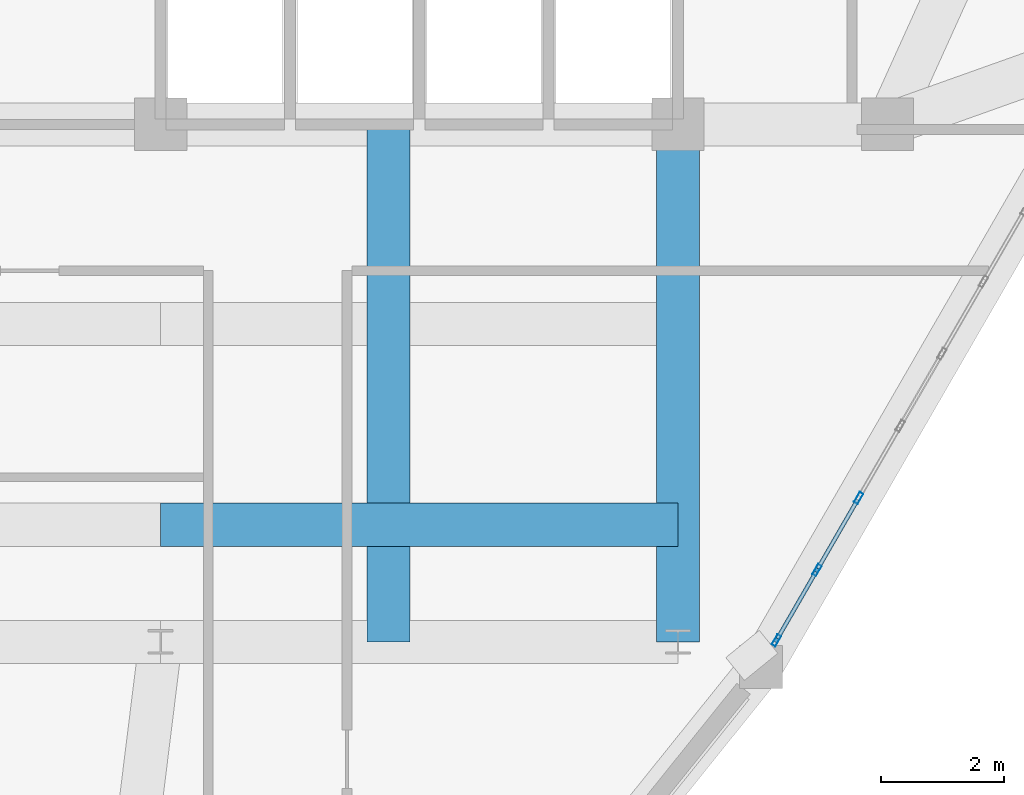
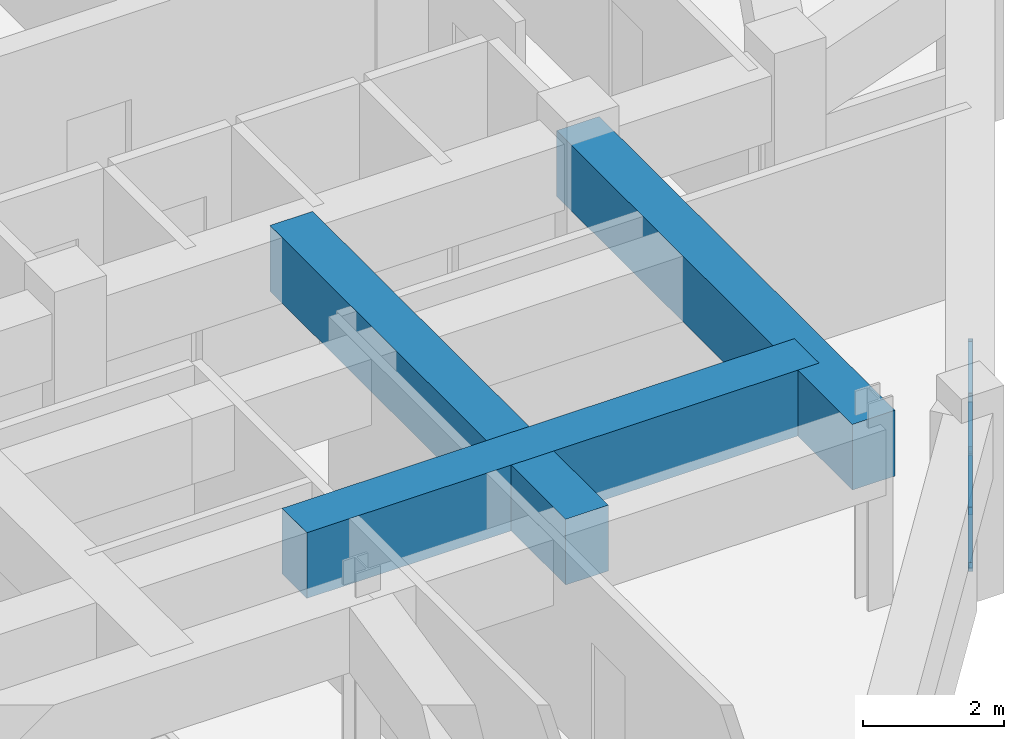
# One storey, part 4 of 14: 8 members, 3 beams, 1 element without a shape of its own.
"""IFC4 building model written with IfcOpenShell, lengths in metres."""

from ifc_helpers import new_model, si_unit, derived_unit, direction, frame, origin, origin_2d, place, context, subcontext, project, spatial, rectangle, hollow_rectangle, extrude, source, transform, mapped, material, layer, layer_set, material_profile, profile_set, type_object, element, aggregate, save


model = new_model("IFC4")

# Units and contexts
model_context = context("Model", 3, precision=1e-05, world=origin(), true_north=direction((0.0, 1.0)))
body_context = subcontext(model_context, "Body", "Model", "MODEL_VIEW")
ifc_project = project(units=[si_unit("LENGTHUNIT", "METRE"), si_unit("AREAUNIT", "SQUARE_METRE"), si_unit("VOLUMEUNIT", "CUBIC_METRE"), si_unit("PLANEANGLEUNIT", "RADIAN"), si_unit("MASSUNIT", "GRAM", prefix="KILO"), derived_unit("THERMALTRANSMITTANCEUNIT", [(si_unit("POWERUNIT", "WATT"), 1), (si_unit("LENGTHUNIT", "METRE"), -2), (si_unit("THERMODYNAMICTEMPERATUREUNIT", "KELVIN"), -1)])], contexts=[model_context])

# Site, building, storey
site_placement = place(None, origin())
site = spatial("IfcSite", under=ifc_project, at=site_placement, CompositionType="ELEMENT")
building_placement = place(site_placement, origin())
building = spatial("IfcBuilding", under=site, at=building_placement, Name="Korsvarv Bourse and Concert Hall", CompositionType="ELEMENT")
storey_placement = place(building_placement, frame((0.0, 0.0, 271.800048828125)))
storey = spatial("IfcBuildingStorey", under=building, at=storey_placement, Name="L71", CompositionType="ELEMENT", Elevation=271.800048828125)

# Beams
ifc_material_1 = material(Name="Concrete C50/60", Category="concrete")
ifc_material_profile_1 = material_profile(ifc_material_1, rectangle(XDim=0.699951171875, YDim=1.139892578125, at=origin_2d()), Name="RC-BM 700x1140")
ifc_profile_set_1 = profile_set([ifc_material_profile_1], Name="Concrete C50/60")
beam_type = type_object("IfcBeamType", Name="BM-TR-114", PredefinedType="BEAM", material=ifc_profile_set_1)
shared_shape_1 = source(origin(), body_context, "Body", "SweptSolid", [
    extrude(rectangle(XDim=0.699951171875, YDim=1.139892578125, at=origin_2d()), origin(), (0.0, 0.0, 1.0), 8.39990234375),
])
for number, where, z_axis, x_axis, name in (
    (1, (36.0, 25.89990234375, 2.60986328125), (1.0, 0.0, 0.0), (0.0, 1.0, 0.0), "L71 beam B-TR5"),
    (2, (39.699951171875, 24.0, 2.60986328125), (0.0, 1.0, 0.0), (-1.0, 0.0, 0.0), "L71 beam B-TR5"),
    (3, (44.39990234375, 24.0, 2.60986328125), (0.0, 1.0, 0.0), (-1.0, 0.0, 0.0), "L71 beam B-TR5"),
):
    element("IfcBeam", number, at=place(storey_placement, frame(where, z_axis=z_axis, x_axis=x_axis)), inside=storey, type_object=beam_type, Name=name, PredefinedType="BEAM", context=body_context, shape_type="MappedRepresentation", body=[
        mapped(shared_shape_1, transform((0.0, 0.0, 0.0), scale=1.0)),
    ])

# Curtain wall, members
ifc_material_2 = material(Name="Anodised aluminium and triple low-E glazing", Category="glass")
ifc_layer = layer(ifc_material_2, 0.199951171875)
ifc_layer_set = layer_set([ifc_layer], Name="Anodised aluminium and triple low-E glazing")
curtain_wall_type = type_object("IfcCurtainWallType", Name="CW-SYS-3", PredefinedType="NOTDEFINED", material=ifc_layer_set)
curtain_wall_placement = place(storey_placement, origin())
curtain_wall = element("IfcCurtainWall", 4, at=curtain_wall_placement, inside=storey, type_object=curtain_wall_type, Name="L71 CW3 curtain wall CW-L71-F11", PredefinedType="NOTDEFINED")
ifc_material_3 = material(Name="Extruded aluminium EN AW-6063 T66", Category="aluminium")
ifc_material_profile_2 = material_profile(ifc_material_3, hollow_rectangle(XDim=0.070068359375, YDim=0.18994140625, WallThickness=0.0048828125, at=origin_2d()), Name="ALU-M 70x190")
ifc_profile_set_2 = profile_set([ifc_material_profile_2], Name="Extruded aluminium EN AW-6063 T66")
member_type_1 = type_object("IfcMemberType", Name="CWM-190", PredefinedType="MULLION", material=ifc_profile_set_2)
shared_shape_2 = source(origin(), body_context, "Body", "SweptSolid", [
    extrude(hollow_rectangle(XDim=0.070068359375, YDim=0.18994140625, WallThickness=0.0048828125, at=origin_2d()), origin(), (0.0, 0.0, 1.0), 2.0400390625),
])
member_1_placement = place(storey_placement, frame((45.998046875, 24.02392578125, 0.0), z_axis=(0.0, 0.0, 1.0), x_axis=(-0.866022834448, 0.500004450195, 0.0)))
member_1 = element("IfcMember", 5, at=member_1_placement, type_object=member_type_1, Name="CW3 mullion 1", PredefinedType="MULLION", context=body_context, shape_type="MappedRepresentation", body=[
    mapped(shared_shape_2, transform((0.0, 0.0, 0.0), scale=1.0)),
])
member_2_placement = place(storey_placement, frame((46.656494140625, 25.164306640625, 0.0), z_axis=(0.0, 0.0, 1.0), x_axis=(-0.866022834448, 0.500004450195, 0.0)))
member_2 = element("IfcMember", 6, at=member_2_placement, type_object=member_type_1, Name="CW3 mullion 2", PredefinedType="MULLION", context=body_context, shape_type="MappedRepresentation", body=[
    mapped(shared_shape_2, transform((0.0, 0.0, 0.0), scale=1.0)),
])
member_3_placement = place(storey_placement, frame((47.33251953125, 26.3349609375, 0.0), z_axis=(0.0, 0.0, 1.0), x_axis=(-0.866022834448, 0.500004450195, 0.0)))
member_3 = element("IfcMember", 7, at=member_3_placement, type_object=member_type_1, Name="CW3 mullion 3", PredefinedType="MULLION", context=body_context, shape_type="MappedRepresentation", body=[
    mapped(shared_shape_2, transform((0.0, 0.0, 0.0), scale=1.0)),
])
ifc_material_profile_3 = material_profile(ifc_material_3, hollow_rectangle(XDim=0.06494140625, YDim=0.139892578125, WallThickness=0.00390625, at=origin_2d()), Name="ALU-T 65x140")
ifc_profile_set_3 = profile_set([ifc_material_profile_3], Name="Extruded aluminium EN AW-6063 T66")
member_type_2 = type_object("IfcMemberType", Name="CWT-140", PredefinedType="USERDEFINED", material=ifc_profile_set_3)
shared_shape_3 = source(origin(), body_context, "Body", "SweptSolid", [
    extrude(hollow_rectangle(XDim=0.06494140625, YDim=0.139892578125, WallThickness=0.00390625, at=origin_2d()), origin(), (0.0, 0.0, 1.0), 1.246826171875),
])
member_4_placement = place(storey_placement, frame((46.015625, 24.05419921875, 0.032470703125), z_axis=(0.500055764683, 0.865993205636, 0.0), x_axis=(-0.865993205636, 0.500055764683, 0.0)))
member_4 = element("IfcMember", 8, at=member_4_placement, type_object=member_type_2, Name="CW3 transom 1.1", ObjectType="TRANSOM", PredefinedType="USERDEFINED", context=body_context, shape_type="MappedRepresentation", body=[
    mapped(shared_shape_3, transform((0.0, 0.0, 0.0), scale=1.0)),
])
member_5_placement = place(storey_placement, frame((46.015625, 24.05419921875, 2.007568359375), z_axis=(0.500055764683, 0.865993205636, 0.0), x_axis=(-0.865993205636, 0.500055764683, 0.0)))
member_5 = element("IfcMember", 9, at=member_5_placement, type_object=member_type_2, Name="CW3 transom 1.2", ObjectType="TRANSOM", PredefinedType="USERDEFINED", context=body_context, shape_type="MappedRepresentation", body=[
    mapped(shared_shape_3, transform((0.0, 0.0, 0.0), scale=1.0)),
])
ifc_material_profile_4 = material_profile(ifc_material_3, hollow_rectangle(XDim=0.06494140625, YDim=0.1650390625, WallThickness=0.0048828125, at=origin_2d()), Name="ALU-M 65x165")
ifc_profile_set_4 = profile_set([ifc_material_profile_4], Name="Extruded aluminium EN AW-6063 T66")
member_type_3 = type_object("IfcMemberType", Name="CWM-165", PredefinedType="MULLION", material=ifc_profile_set_4)
shared_shape_4 = source(origin(), body_context, "Body", "SweptSolid", [
    extrude(hollow_rectangle(XDim=0.06494140625, YDim=0.1650390625, WallThickness=0.0048828125, at=origin_2d()), origin(), (0.0, 0.0, 1.0), 2.281005859375),
])
member_6_placement = place(storey_placement, frame((46.015625, 24.05419921875, 0.06494140625), z_axis=(0.273369873576, 0.47342010604, 0.837342412289), x_axis=(-0.865993205636, 0.500055764683, 0.0)))
member_6 = element("IfcMember", 10, at=member_6_placement, type_object=member_type_3, Name="CW3 diagonal mullion 1", PredefinedType="MULLION", context=body_context, shape_type="MappedRepresentation", body=[
    mapped(shared_shape_4, transform((0.0, 0.0, 0.0), scale=1.0)),
])
shared_shape_5 = source(origin(), body_context, "Body", "SweptSolid", [
    extrude(hollow_rectangle(XDim=0.06494140625, YDim=0.139892578125, WallThickness=0.00390625, at=origin_2d()), origin(), (0.0, 0.0, 1.0), 1.28173828125),
])
member_7_placement = place(storey_placement, frame((46.674072265625, 25.194580078125, 0.032470703125), z_axis=(0.49996976238, 0.866042860778, 0.0), x_axis=(-0.866042860778, 0.49996976238, 0.0)))
member_7 = element("IfcMember", 11, at=member_7_placement, type_object=member_type_2, Name="CW3 transom 2.1", ObjectType="TRANSOM", PredefinedType="USERDEFINED", context=body_context, shape_type="MappedRepresentation", body=[
    mapped(shared_shape_5, transform((0.0, 0.0, 0.0), scale=1.0)),
])
member_8_placement = place(storey_placement, frame((46.674072265625, 25.194580078125, 2.007568359375), z_axis=(0.49996976238, 0.866042860778, 0.0), x_axis=(-0.866042860778, 0.49996976238, 0.0)))
member_8 = element("IfcMember", 12, at=member_8_placement, type_object=member_type_2, Name="CW3 transom 2.2", ObjectType="TRANSOM", PredefinedType="USERDEFINED", context=body_context, shape_type="MappedRepresentation", body=[
    mapped(shared_shape_5, transform((0.0, 0.0, 0.0), scale=1.0)),
])
aggregate(curtain_wall, [member_1, member_2, member_3, member_4, member_5, member_6, member_7, member_8])

save(model, "model.ifc")
